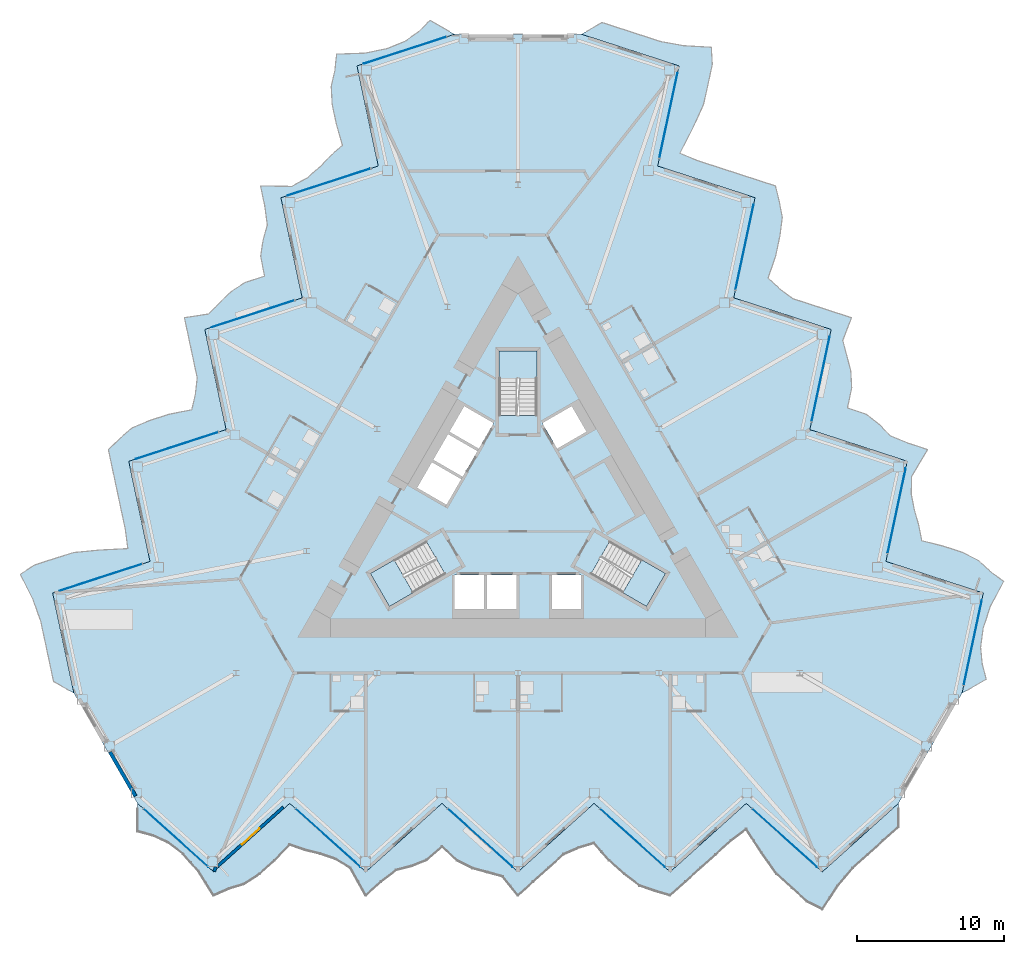
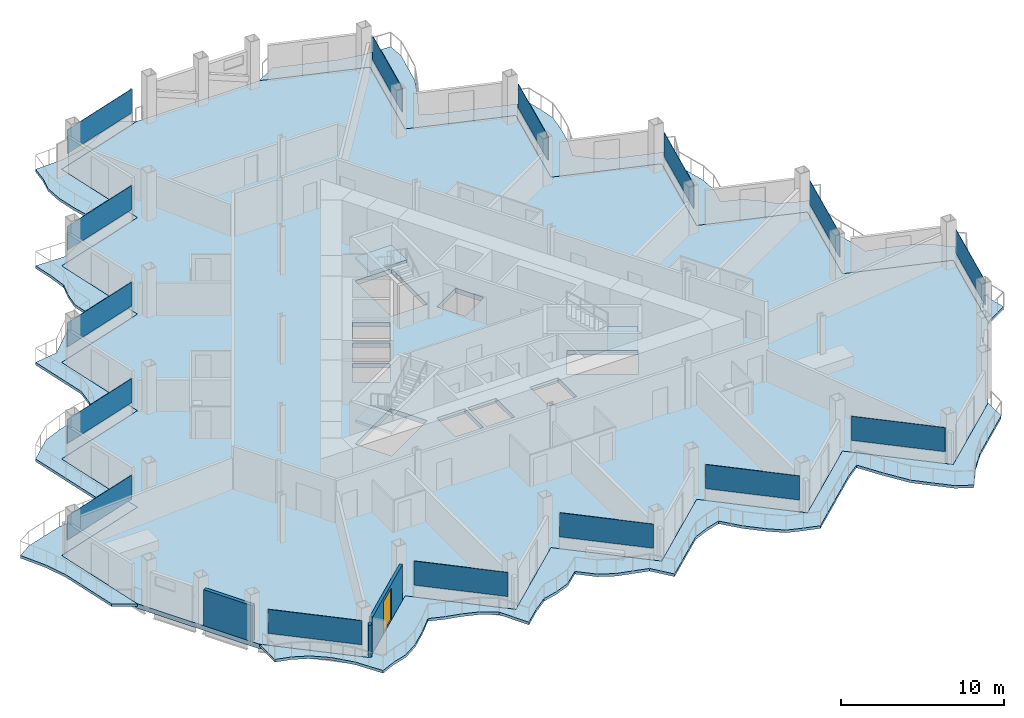
# One storey, part 10 of 24: 15 plates, 7 slabs, 3 walls, 1 door, 1 opening, 18 elements without a shape of their own.
"""IFC4 building model written with IfcOpenShell, lengths in metres."""

import ifcopenshell
import ifcopenshell.guid

model = None  # the IFC model being written
_history = None  # IfcOwnerHistory: only IFC2X3 demands one
_inside = {}  # id of a spatial element -> (the spatial element, [elements in it])
_under = {}  # id of a project, library or spatial element -> (it, [spatial elements below it])
_declared = {}  # id of a project -> (the project, [libraries it declares])
_typed = {}  # id of a type object -> (the type object, [elements of that type])
_made_of = {}  # id of a material, layer set ... -> (it, [elements and type objects made of it])


def new_model(schema):
    """Start an empty IFC model of exactly this schema.

    Asked for "IFC4X3", IfcOpenShell would pick the latest addendum, in which some entities
    have other attributes; the version numbers below select the first issue.
    IFC2X3 requires an IfcOwnerHistory on every rooted entity: one is made here for all.
    """
    global model, _history
    if schema == "IFC4X3":
        model = ifcopenshell.file(schema_version=(4, 3, 0, 0))
    else:
        model = ifcopenshell.file(schema=schema)
    _inside.clear()
    _under.clear()
    _declared.clear()
    _typed.clear()
    _made_of.clear()
    _history = None
    if model.schema == "IFC2X3":
        org = make("IfcOrganization", Name="unknown")
        user = make(
            "IfcPersonAndOrganization",
            ThePerson=make("IfcPerson", FamilyName="unknown"),
            TheOrganization=org,
        )
        app = make(
            "IfcApplication",
            ApplicationDeveloper=org,
            Version="unknown",
            ApplicationFullName="unknown",
            ApplicationIdentifier="unknown",
        )
        _history = make(
            "IfcOwnerHistory",
            OwningUser=user,
            OwningApplication=app,
            ChangeAction="ADDED",
            CreationDate=0,
        )
    return model


def make(cls, **values):
    """One entity of the class cls with the attributes given. An attribute that is None is left unset."""
    return model.create_entity(
        cls, **{name: value for name, value in values.items() if value is not None}
    )


def rooted(cls, **values):
    """An entity with a GlobalId (a new one), such as an element, a storey or a relation."""
    return make(cls, GlobalId=ifcopenshell.guid.new(), OwnerHistory=_history, **values)


def si_unit(unit_type, name, prefix=None):
    """IfcSIUnit, for example si_unit("LENGTHUNIT", "METRE", prefix="MILLI")."""
    return make("IfcSIUnit", UnitType=unit_type, Prefix=prefix, Name=name)


def assignment(units):
    """IfcUnitAssignment: the units of a project."""
    return None if units is None else make("IfcUnitAssignment", Units=units)


def point(xyz):
    """IfcCartesianPoint."""
    return None if xyz is None else make("IfcCartesianPoint", Coordinates=xyz)


def direction(xyz):
    """IfcDirection."""
    return None if xyz is None else make("IfcDirection", DirectionRatios=xyz)


def frame(location, z_axis=None, x_axis=None):
    """IfcAxis2Placement3D, a coordinate frame: its origin and axes. An axis left out is left unset."""
    return make(
        "IfcAxis2Placement3D",
        Location=point(location),
        Axis=direction(z_axis),
        RefDirection=direction(x_axis),
    )


def frame_2d(location, x_axis=None):
    """IfcAxis2Placement2D, a coordinate frame in the plane: its origin and x axis."""
    return make(
        "IfcAxis2Placement2D", Location=point(location), RefDirection=direction(x_axis)
    )


def origin():
    """The frame at (0, 0, 0) with its axes left unset."""
    return frame((0.0, 0.0, 0.0))


def origin_2d():
    """The frame at (0, 0) in the plane with its x axis left unset."""
    return frame_2d((0.0, 0.0))


def place(relative_to, where):
    """IfcLocalPlacement: puts the frame where relative to a parent placement (None: the world)."""
    return make(
        "IfcLocalPlacement", PlacementRelTo=relative_to, RelativePlacement=where
    )


def context(
    kind, dimensions, precision=None, world=None, true_north=None, identifier=None
):
    """IfcGeometricRepresentationContext, for example the 3D "Model" context."""
    return make(
        "IfcGeometricRepresentationContext",
        ContextIdentifier=identifier,
        ContextType=kind,
        CoordinateSpaceDimension=dimensions,
        Precision=precision,
        WorldCoordinateSystem=world,
        TrueNorth=true_north,
    )


def subcontext(parent, identifier, kind, view, scale=None):
    """IfcGeometricRepresentationSubContext, for example "Body" below "Model"."""
    return make(
        "IfcGeometricRepresentationSubContext",
        ContextIdentifier=identifier,
        ContextType=kind,
        ParentContext=parent,
        TargetScale=scale,
        TargetView=view,
    )


def project(units=None, contexts=None):
    """IfcProject with its units and contexts."""
    return rooted(
        "IfcProject",
        Name="project",
        RepresentationContexts=contexts,
        UnitsInContext=assignment(units),
    )


def spatial(cls, under=None, at=None, **own):
    """A site, building, storey or space (cls), placed at a placement, below another one or the project."""
    s = rooted(cls, ObjectPlacement=at, **own)
    if under is not None:
        _under.setdefault(under.id(), (under, []))[1].append(s)
    return s


def polyline(points):
    """IfcPolyline through the points."""
    return make("IfcPolyline", Points=[point(p) for p in points])


def profile(cls, at=None, kind="AREA", **sizes):
    """A parametric profile (cls). Its sizes go by their IFC names, for example OverallWidth=200.0."""
    return make(cls, ProfileType=kind, Position=at, **sizes)


def rectangle(**sizes):
    """IfcRectangleProfileDef."""
    return profile("IfcRectangleProfileDef", **sizes)


def outline(outer, holes=None, kind="AREA"):
    """IfcArbitraryClosedProfileDef: a profile drawn as a closed curve; with holes, ...WithVoids."""
    if holes is None:
        return make("IfcArbitraryClosedProfileDef", ProfileType=kind, OuterCurve=outer)
    return make(
        "IfcArbitraryProfileDefWithVoids",
        ProfileType=kind,
        OuterCurve=outer,
        InnerCurves=holes,
    )


def extrude(swept, where, along, depth):
    """IfcExtrudedAreaSolid: the profile swept, set in the frame where, extruded along a direction by depth."""
    return make(
        "IfcExtrudedAreaSolid",
        SweptArea=swept,
        Position=where,
        ExtrudedDirection=direction(along),
        Depth=depth,
    )


def shape(context_of_items, identifier, shape_type, items):
    """IfcShapeRepresentation: the items that make up one representation, for example the "Body"."""
    return make(
        "IfcShapeRepresentation",
        ContextOfItems=context_of_items,
        RepresentationIdentifier=identifier,
        RepresentationType=shape_type,
        Items=items,
    )


def material(Name=None, Category=None):
    """IfcMaterial."""
    return make("IfcMaterial", Name=Name, Category=Category)


def layer(
    of_material, thickness, ventilated=None, Name=None, Category=None, Priority=None
):
    """IfcMaterialLayer: one layer of a wall or slab, of a material (None: an air gap)."""
    return make(
        "IfcMaterialLayer",
        Material=of_material,
        LayerThickness=thickness,
        IsVentilated=ventilated,
        Name=Name,
        Category=Category,
        Priority=Priority,
    )


def layer_set(layers, Name=None):
    """IfcMaterialLayerSet."""
    return make("IfcMaterialLayerSet", MaterialLayers=layers, LayerSetName=Name)


def made_of(thing, what):
    """Note that an element or type object is made of a material, layer set ...; save() writes the relation."""
    if what is not None:
        _made_of.setdefault(what.id(), (what, []))[1].append(thing)
    return thing


def type_object(cls, material=None, **own):
    """A type object (cls), such as IfcWallType, which elements share."""
    return made_of(rooted(cls, **own), material)


def element(
    cls,
    number,
    at=None,
    inside=None,
    cuts=None,
    type_object=None,
    material=None,
    context=None,
    identifier="Body",
    shape_type=None,
    held_by="IfcProductDefinitionShape",
    body=None,
    shapes=None,
    **own,
):
    """One element of the class cls, such as IfcWall. Its Tag is "e" and its number.

    at: its placement. inside: the storey or other place that contains it. cuts: it is an
    opening in that element (IfcRelVoidsElement). A single representation is given by context,
    identifier, shape_type and body (its items); several are given by shapes. held_by: the class
    of the entity that holds the representations. save() writes the other relations.
    """
    e = rooted(cls, Tag="e%d" % number, ObjectPlacement=at, **own)
    if body is not None:
        shapes = [shape(context, identifier, shape_type, body)]
    if shapes is not None:
        e.Representation = make(held_by, Representations=shapes)
    if inside is not None:
        _inside.setdefault(inside.id(), (inside, []))[1].append(e)
    if cuts is not None:
        rooted(
            "IfcRelVoidsElement", RelatingBuildingElement=cuts, RelatedOpeningElement=e
        )
    if type_object is not None:
        _typed.setdefault(type_object.id(), (type_object, []))[1].append(e)
    return made_of(e, material)


def fill(opening, filler):
    """IfcRelFillsElement: the door or window that sits in an opening."""
    return rooted(
        "IfcRelFillsElement",
        RelatingOpeningElement=opening,
        RelatedBuildingElement=filler,
    )


def aggregate(whole, parts):
    """IfcRelAggregates: a whole, such as a stair, and the parts it consists of."""
    return rooted("IfcRelAggregates", RelatingObject=whole, RelatedObjects=parts)


def save(model, path):
    """Write the relations noted so far, then the file.

    IfcRelAggregates (storeys below a building ...), IfcRelContainedInSpatialStructure (elements
    in a storey), IfcRelDefinesByType, IfcRelAssociatesMaterial and IfcRelDeclares: one each for
    every whole, place, type object, material and project.
    """
    for whole, parts in _under.values():
        aggregate(whole, parts)
    for where, things in _inside.values():
        rooted(
            "IfcRelContainedInSpatialStructure",
            RelatedElements=things,
            RelatingStructure=where,
        )
    for kind, things in _typed.values():
        rooted("IfcRelDefinesByType", RelatedObjects=things, RelatingType=kind)
    for what, things in _made_of.values():
        rooted("IfcRelAssociatesMaterial", RelatedObjects=things, RelatingMaterial=what)
    for by, libraries in _declared.values():
        rooted("IfcRelDeclares", RelatingContext=by, RelatedDefinitions=libraries)
    model.write(path)


model = new_model("IFC4")

# Units and contexts
model_context = context("Model", 3, precision=1e-05, world=origin(), true_north=direction((0.0, 1.0)))
body_context = subcontext(model_context, "Body", "Model", "MODEL_VIEW")
ifc_project = project(units=[si_unit("LENGTHUNIT", "METRE"), si_unit("AREAUNIT", "SQUARE_METRE"), si_unit("VOLUMEUNIT", "CUBIC_METRE"), si_unit("PLANEANGLEUNIT", "RADIAN"), si_unit("MASSUNIT", "GRAM", prefix="KILO")], contexts=[model_context])

# Site, building, storey
site_placement = place(None, origin())
site = spatial("IfcSite", under=ifc_project, at=site_placement, CompositionType="ELEMENT")
building_placement = place(site_placement, origin())
building = spatial("IfcBuilding", under=site, at=building_placement, Name="Cormorant Prow Tower", CompositionType="ELEMENT")
storey_placement = place(building_placement, frame((0.0, 0.0, 234.60009765625)))
storey = spatial("IfcBuildingStorey", under=building, at=storey_placement, Name="L51", CompositionType="ELEMENT", Elevation=234.60009765625)

# Slabs
ifc_material_1 = material(Name="Concrete C40/50", Category="concrete")
ifc_layer_1 = layer(ifc_material_1, 0.199951171875)
ifc_layer_set_1 = layer_set([ifc_layer_1], Name="Concrete C40/50")
slab_type_1 = type_object("IfcSlabType", Name="Balcony slab 200", PredefinedType="FLOOR", material=ifc_layer_set_1)
slab_1_placement = place(storey_placement, frame((0.0, 0.0, -0.2001953125)))
element("IfcSlab", 1, at=slab_1_placement, inside=storey, type_object=slab_type_1, Name="Balcony slab S L51", PredefinedType="FLOOR", context=body_context, shape_type="SweptSolid", body=[
    extrude(outline(polyline([(-25.859619140625, -19.9228515625), (-25.859619140625, -21.82275390625), (-24.8251953125, -22.1044921875), (-23.790771484375, -22.575439453125), (-22.75634765625, -23.369873046875), (-21.721923828125, -24.52783203125), (-20.6875, -26.1796875), (-19.6533203125, -25.72021484375), (-18.618896484375, -25.407470703125), (-17.58447265625, -24.735595703125), (-16.550048828125, -23.80419921875), (-15.515625, -22.734375), (-14.4814453125, -23.08837890625), (-13.447021484375, -23.344970703125), (-12.41259765625, -23.700927734375), (-11.378173828125, -24.32373046875), (-10.34375, -26.1796875), (-9.309326171875, -25.248291015625), (-8.275146484375, -24.45166015625), (-7.24072265625, -24.1884765625), (-6.206298828125, -23.778564453125), (-5.171875, -22.872802734375), (-4.137451171875, -23.80419921875), (-3.10302734375, -24.32958984375), (-2.06884765625, -24.6103515625), (-1.034423828125, -24.892822265625), (0.0, -26.1796875), (1.034423828125, -25.248291015625), (2.06884765625, -24.31689453125), (3.10302734375, -23.385498046875), (4.137451171875, -22.932861328125), (5.171875, -22.618408203125), (6.206298828125, -23.80419921875), (7.24072265625, -24.735595703125), (8.275146484375, -25.52392578125), (9.309326171875, -25.8759765625), (10.34375, -26.1796875), (11.378173828125, -25.248291015625), (12.41259765625, -24.31689453125), (13.447021484375, -23.385498046875), (14.4814453125, -22.4541015625), (15.515625, -21.6640625), (16.550048828125, -23.26318359375), (17.58447265625, -24.7138671875), (18.618896484375, -25.6669921875), (19.6533203125, -26.598388671875), (20.6875, -27.117919921875), (21.721923828125, -25.534912109375), (22.75634765625, -24.31689453125), (23.790771484375, -23.385498046875), (24.8251953125, -22.4541015625), (25.859619140625, -21.52294921875), (25.859619140625, -19.9228515625), (24.8251953125, -20.854248046875), (23.790771484375, -21.78564453125), (22.75634765625, -22.717041015625), (21.721923828125, -23.648193359375), (20.6875, -24.57958984375), (19.6533203125, -23.648193359375), (18.618896484375, -22.717041015625), (17.58447265625, -21.78564453125), (16.550048828125, -20.854248046875), (15.515625, -19.9228515625), (14.4814453125, -20.854248046875), (13.447021484375, -21.78564453125), (12.41259765625, -22.717041015625), (11.378173828125, -23.648193359375), (10.34375, -24.57958984375), (9.309326171875, -23.648193359375), (8.275146484375, -22.717041015625), (7.24072265625, -21.78564453125), (6.206298828125, -20.854248046875), (5.171875, -19.9228515625), (4.137451171875, -20.854248046875), (3.10302734375, -21.78564453125), (2.06884765625, -22.717041015625), (1.034423828125, -23.648193359375), (0.0, -24.57958984375), (-1.034423828125, -23.648193359375), (-2.06884765625, -22.717041015625), (-3.10302734375, -21.78564453125), (-4.137451171875, -20.854248046875), (-5.171875, -19.9228515625), (-6.206298828125, -20.854248046875), (-7.24072265625, -21.78564453125), (-8.275146484375, -22.717041015625), (-9.309326171875, -23.648193359375), (-10.34375, -24.57958984375), (-11.378173828125, -23.648193359375), (-12.41259765625, -22.717041015625), (-13.447021484375, -21.78564453125), (-14.4814453125, -20.854248046875), (-15.515625, -19.9228515625), (-16.550048828125, -20.854248046875), (-17.58447265625, -21.78564453125), (-18.618896484375, -22.717041015625), (-19.6533203125, -23.648193359375), (-20.6875, -24.57958984375), (-21.721923828125, -23.648193359375), (-22.75634765625, -22.717041015625), (-23.790771484375, -21.78564453125), (-24.8251953125, -20.854248046875), (-25.859619140625, -19.9228515625)])), origin(), (0.0, 0.0, 1.0), 0.2001953125),
])
slab_2_placement = place(storey_placement, frame((0.0, 0.0, -0.2001953125)))
element("IfcSlab", 2, at=slab_2_placement, inside=storey, type_object=slab_type_1, Name="Balcony slab ENE L51", PredefinedType="FLOOR", context=body_context, shape_type="SweptSolid", body=[
    extrude(outline(polyline([(30.183349609375, -12.43359375), (31.828857421875, -11.483642578125), (31.5556640625, -10.447021484375), (31.4462890625, -9.315673828125), (31.6171875, -8.022705078125), (32.1025390625, -6.5478515625), (33.01611328125, -4.826171875), (32.10107421875, -4.16015625), (31.312744140625, -3.420654296875), (30.2138671875, -2.86083984375), (28.89013671875, -2.4306640625), (27.446533203125, -2.06982421875), (27.23583984375, -0.9970703125), (26.94091796875, 0.027099609375), (26.731689453125, 1.100830078125), (26.75390625, 2.30810546875), (27.84423828125, 4.1318359375), (26.520263671875, 4.56201171875), (25.313232421875, 5.059326171875), (24.568115234375, 5.823486328125), (23.696044921875, 6.514404296875), (22.39453125, 6.95751953125), (22.683837890625, 8.31884765625), (22.62158203125, 9.477294921875), (22.347412109375, 10.513427734375), (22.074951171875, 11.550537109375), (22.67236328125, 13.08984375), (21.348388671875, 13.52001953125), (20.024658203125, 13.949951171875), (18.700927734375, 14.380126953125), (17.79150390625, 15.049560546875), (17.002197265625, 15.788330078125), (17.511962890625, 17.27685546875), (17.80126953125, 18.638427734375), (17.966796875, 19.928466796875), (17.754638671875, 21.000244140625), (17.500244140625, 22.0478515625), (16.176513671875, 22.47802734375), (14.852783203125, 22.907958984375), (13.529052734375, 23.338134765625), (12.205322265625, 23.768310546875), (11.00390625, 24.26904296875), (11.871337890625, 25.96435546875), (12.610595703125, 27.58544921875), (12.918701171875, 28.957763671875), (13.208251953125, 30.3193359375), (13.14111328125, 31.474853515625), (11.2529296875, 31.579345703125), (9.680908203125, 31.865966796875), (8.357177734375, 32.296142578125), (7.033447265625, 32.726318359375), (5.70947265625, 33.156494140625), (4.323974609375, 32.3564453125), (5.647705078125, 31.92626953125), (6.971435546875, 31.49609375), (8.295166015625, 31.066162109375), (9.619140625, 30.635986328125), (10.94287109375, 30.205810546875), (10.6533203125, 28.84423828125), (10.364013671875, 27.48291015625), (10.07470703125, 26.121337890625), (9.78515625, 24.760009765625), (9.495849609375, 23.3984375), (10.819580078125, 22.96826171875), (12.143310546875, 22.5380859375), (13.467041015625, 22.108154296875), (14.791015625, 21.677978515625), (16.11474609375, 21.247802734375), (15.8251953125, 19.88623046875), (15.535888671875, 18.52490234375), (15.24658203125, 17.163330078125), (14.95703125, 15.802001953125), (14.667724609375, 14.4404296875), (15.991455078125, 14.01025390625), (17.315185546875, 13.580078125), (18.63916015625, 13.150146484375), (19.962890625, 12.719970703125), (21.28662109375, 12.289794921875), (20.997314453125, 10.928466796875), (20.707763671875, 9.56689453125), (20.41845703125, 8.205322265625), (20.129150390625, 6.843994140625), (19.839599609375, 5.482421875), (21.163330078125, 5.05224609375), (22.4873046875, 4.6220703125), (23.81103515625, 4.192138671875), (25.134765625, 3.761962890625), (26.45849609375, 3.331787109375), (26.169189453125, 1.970458984375), (25.879638671875, 0.60888671875), (25.59033203125, -0.752685546875), (25.301025390625, -2.114013671875), (25.011474609375, -3.4755859375), (26.335205078125, -3.90576171875), (27.6591796875, -4.335693359375), (28.98291015625, -4.765869140625), (30.306640625, -5.196044921875), (31.63037109375, -5.626220703125), (31.341064453125, -6.987548828125), (31.051513671875, -8.34912109375), (30.76220703125, -9.710693359375), (30.472900390625, -11.072021484375), (30.183349609375, -12.43359375)])), origin(), (0.0, 0.0, 1.0), 0.2001953125),
])
slab_3_placement = place(storey_placement, frame((0.0, 0.0, -0.2001953125)))
element("IfcSlab", 3, at=slab_3_placement, inside=storey, type_object=slab_type_1, Name="Balcony slab WNW L51", PredefinedType="FLOOR", context=body_context, shape_type="SweptSolid", body=[
    extrude(outline(polyline([(-4.323974609375, 32.3564453125), (-5.969482421875, 33.306396484375), (-6.73046875, 32.551513671875), (-7.655517578125, 31.89111328125), (-8.86083984375, 31.392578125), (-10.380615234375, 31.07568359375), (-12.328369140625, 31.005859375), (-12.44775390625, 29.88037109375), (-12.694091796875, 28.828125), (-12.62939453125, 27.596435546875), (-12.340087890625, 26.23486328125), (-11.9306640625, 24.80419921875), (-12.75439453125, 24.08544921875), (-13.493896484375, 23.31787109375), (-14.3193359375, 22.60009765625), (-15.375732421875, 22.015625), (-17.500244140625, 22.0478515625), (-17.2109375, 20.686279296875), (-17.0380859375, 19.39208984375), (-17.327392578125, 18.36474609375), (-17.48974609375, 17.26416015625), (-17.222412109375, 15.91552734375), (-18.54638671875, 15.4853515625), (-19.5185546875, 14.852294921875), (-20.27880859375, 14.0966796875), (-21.040771484375, 13.34228515625), (-22.67236328125, 13.08984375), (-22.3828125, 11.728271484375), (-22.093505859375, 10.366943359375), (-21.803955078125, 9.00537109375), (-21.92919921875, 7.88330078125), (-22.174072265625, 6.830322265625), (-23.71826171875, 6.52734375), (-25.0419921875, 6.09716796875), (-26.241943359375, 5.595458984375), (-27.06396484375, 4.875732421875), (-27.84423828125, 4.1318359375), (-27.5546875, 2.770263671875), (-27.265380859375, 1.408935546875), (-26.97607421875, 0.04736328125), (-26.6865234375, -1.314208984375), (-26.51953125, -2.60498046875), (-28.42138671875, -2.701171875), (-30.195068359375, -2.871826171875), (-31.53759765625, -3.291015625), (-32.861328125, -3.720947265625), (-33.82861328125, -4.35693359375), (-32.974853515625, -6.04443359375), (-32.437255859375, -7.549072265625), (-32.14794921875, -8.91064453125), (-31.8583984375, -10.27197265625), (-31.569091796875, -11.633544921875), (-30.183349609375, -12.43359375), (-30.472900390625, -11.072021484375), (-30.76220703125, -9.710693359375), (-31.051513671875, -8.34912109375), (-31.341064453125, -6.987548828125), (-31.63037109375, -5.626220703125), (-30.306640625, -5.196044921875), (-28.98291015625, -4.765869140625), (-27.6591796875, -4.335693359375), (-26.335205078125, -3.90576171875), (-25.011474609375, -3.4755859375), (-25.301025390625, -2.114013671875), (-25.59033203125, -0.752685546875), (-25.879638671875, 0.60888671875), (-26.169189453125, 1.970458984375), (-26.45849609375, 3.331787109375), (-25.134765625, 3.761962890625), (-23.81103515625, 4.192138671875), (-22.4873046875, 4.6220703125), (-21.163330078125, 5.05224609375), (-19.839599609375, 5.482421875), (-20.129150390625, 6.843994140625), (-20.41845703125, 8.205322265625), (-20.707763671875, 9.56689453125), (-20.997314453125, 10.928466796875), (-21.28662109375, 12.289794921875), (-19.962890625, 12.719970703125), (-18.63916015625, 13.150146484375), (-17.315185546875, 13.580078125), (-15.991455078125, 14.01025390625), (-14.667724609375, 14.4404296875), (-14.95703125, 15.802001953125), (-15.24658203125, 17.163330078125), (-15.535888671875, 18.52490234375), (-15.8251953125, 19.88623046875), (-16.11474609375, 21.247802734375), (-14.791015625, 21.677978515625), (-13.467041015625, 22.108154296875), (-12.143310546875, 22.5380859375), (-10.819580078125, 22.96826171875), (-9.495849609375, 23.3984375), (-9.78515625, 24.760009765625), (-10.07470703125, 26.121337890625), (-10.364013671875, 27.48291015625), (-10.6533203125, 28.84423828125), (-10.94287109375, 30.205810546875), (-9.619140625, 30.635986328125), (-8.295166015625, 31.066162109375), (-6.971435546875, 31.49609375), (-5.647705078125, 31.92626953125), (-4.323974609375, 32.3564453125)])), origin(), (0.0, 0.0, 1.0), 0.2001953125),
])

# Curtain wall, plate
ifc_material_2 = material(Name="Aluminium 6063-T6", Category="aluminium")
ifc_layer_2 = layer(ifc_material_2, 0.179931640625)
ifc_layer_set_2 = layer_set([ifc_layer_2], Name="Aluminium 6063-T6")
curtain_wall_type = type_object("IfcCurtainWallType", Name="Hotel unitised curtain wall 180", PredefinedType="NOTDEFINED", material=ifc_layer_set_2)
curtain_wall_1_placement = place(storey_placement, origin())
curtain_wall_1 = element("IfcCurtainWall", 4, at=curtain_wall_1_placement, inside=storey, type_object=curtain_wall_type, Name="Hotel curtain wall S00", PredefinedType="NOTDEFINED")
ifc_material_3 = material(Name="Clear glass", Category="glass")
ifc_layer_3 = layer(ifc_material_3, 0.028076171875)
ifc_layer_set_3 = layer_set([ifc_layer_3], Name="Clear glass")
plate_type = type_object("IfcPlateType", Name="Hotel glass panel 28", PredefinedType="CURTAIN_PANEL", material=ifc_layer_set_3)
plate_1_placement = place(storey_placement, frame((-23.251220703125, -22.271240234375, 0.89990234375), z_axis=(0.0, 0.0, 1.0), x_axis=(0.743144795265, -0.669130639913, 0.0)))
plate_1 = element("IfcPlate", 5, at=plate_1_placement, type_object=plate_type, Name="Hotel glass panel S00", PredefinedType="CURTAIN_PANEL", context=body_context, shape_type="SweptSolid", body=[
    extrude(rectangle(XDim=5.8974609375, YDim=0.028076171875, at=origin_2d()), origin(), (0.0, 0.0, 1.0), 1.80078125),
])
aggregate(curtain_wall_1, [plate_1])

curtain_wall_2_placement = place(storey_placement, origin())
curtain_wall_2 = element("IfcCurtainWall", 6, at=curtain_wall_2_placement, inside=storey, type_object=curtain_wall_type, Name="Hotel curtain wall S02", PredefinedType="NOTDEFINED")
plate_2_placement = place(storey_placement, frame((-12.907470703125, -22.271240234375, 0.89990234375), z_axis=(0.0, 0.0, 1.0), x_axis=(0.743144795265, -0.669130639913, 0.0)))
plate_2 = element("IfcPlate", 7, at=plate_2_placement, type_object=plate_type, Name="Hotel glass panel S02", PredefinedType="CURTAIN_PANEL", context=body_context, shape_type="SweptSolid", body=[
    extrude(rectangle(XDim=5.8974609375, YDim=0.028076171875, at=origin_2d()), origin(), (0.0, 0.0, 1.0), 1.80078125),
])
aggregate(curtain_wall_2, [plate_2])

curtain_wall_3_placement = place(storey_placement, origin())
curtain_wall_3 = element("IfcCurtainWall", 8, at=curtain_wall_3_placement, inside=storey, type_object=curtain_wall_type, Name="Hotel curtain wall S04", PredefinedType="NOTDEFINED")
plate_3_placement = place(storey_placement, frame((-2.563720703125, -22.271240234375, 0.89990234375), z_axis=(0.0, 0.0, 1.0), x_axis=(0.74314485959, -0.669130568473, 0.0)))
plate_3 = element("IfcPlate", 9, at=plate_3_placement, type_object=plate_type, Name="Hotel glass panel S04", PredefinedType="CURTAIN_PANEL", context=body_context, shape_type="SweptSolid", body=[
    extrude(rectangle(XDim=5.8974609375, YDim=0.028076171875, at=origin_2d()), origin(), (0.0, 0.0, 1.0), 1.80078125),
])
aggregate(curtain_wall_3, [plate_3])

curtain_wall_4_placement = place(storey_placement, origin())
curtain_wall_4 = element("IfcCurtainWall", 10, at=curtain_wall_4_placement, inside=storey, type_object=curtain_wall_type, Name="Hotel curtain wall S06", PredefinedType="NOTDEFINED")
plate_4_placement = place(storey_placement, frame((7.780029296875, -22.271240234375, 0.89990234375), z_axis=(0.0, 0.0, 1.0), x_axis=(0.743144795265, -0.669130639913, 0.0)))
plate_4 = element("IfcPlate", 11, at=plate_4_placement, type_object=plate_type, Name="Hotel glass panel S06", PredefinedType="CURTAIN_PANEL", context=body_context, shape_type="SweptSolid", body=[
    extrude(rectangle(XDim=5.8974609375, YDim=0.028076171875, at=origin_2d()), origin(), (0.0, 0.0, 1.0), 1.80078125),
])
aggregate(curtain_wall_4, [plate_4])

curtain_wall_5_placement = place(storey_placement, origin())
curtain_wall_5 = element("IfcCurtainWall", 12, at=curtain_wall_5_placement, inside=storey, type_object=curtain_wall_type, Name="Hotel curtain wall S08", PredefinedType="NOTDEFINED")
plate_5_placement = place(storey_placement, frame((18.1240234375, -22.271240234375, 0.89990234375), z_axis=(0.0, 0.0, 1.0), x_axis=(0.74314485959, -0.669130568473, 0.0)))
plate_5 = element("IfcPlate", 13, at=plate_5_placement, type_object=plate_type, Name="Hotel glass panel S08", PredefinedType="CURTAIN_PANEL", context=body_context, shape_type="SweptSolid", body=[
    extrude(rectangle(XDim=5.8974609375, YDim=0.028076171875, at=origin_2d()), origin(), (0.0, 0.0, 1.0), 1.80078125),
])
aggregate(curtain_wall_5, [plate_5])

curtain_wall_6_placement = place(storey_placement, origin())
curtain_wall_6 = element("IfcCurtainWall", 14, at=curtain_wall_6_placement, inside=storey, type_object=curtain_wall_type, Name="Hotel curtain wall ENE00", PredefinedType="NOTDEFINED")
plate_6_placement = place(storey_placement, frame((30.9130859375, -9.00048828125, 0.89990234375), z_axis=(0.0, 0.0, 1.0), x_axis=(0.207911646089, 0.978147610241, 0.0)))
plate_6 = element("IfcPlate", 15, at=plate_6_placement, type_object=plate_type, Name="Hotel glass panel ENE00", PredefinedType="CURTAIN_PANEL", context=body_context, shape_type="SweptSolid", body=[
    extrude(rectangle(XDim=5.8974609375, YDim=0.028076171875, at=origin_2d()), origin(), (0.0, 0.0, 1.0), 1.80078125),
])
aggregate(curtain_wall_6, [plate_6])

curtain_wall_7_placement = place(storey_placement, origin())
curtain_wall_7 = element("IfcCurtainWall", 16, at=curtain_wall_7_placement, inside=storey, type_object=curtain_wall_type, Name="Hotel curtain wall ENE02", PredefinedType="NOTDEFINED")
plate_7_placement = place(storey_placement, frame((25.7412109375, -0.04248046875, 0.89990234375), z_axis=(0.0, 0.0, 1.0), x_axis=(0.207911783569, 0.978147581019, 0.0)))
plate_7 = element("IfcPlate", 17, at=plate_7_placement, type_object=plate_type, Name="Hotel glass panel ENE02", PredefinedType="CURTAIN_PANEL", context=body_context, shape_type="SweptSolid", body=[
    extrude(rectangle(XDim=5.8974609375, YDim=0.028076171875, at=origin_2d()), origin(), (0.0, 0.0, 1.0), 1.80078125),
])
aggregate(curtain_wall_7, [plate_7])

curtain_wall_8_placement = place(storey_placement, origin())
curtain_wall_8 = element("IfcCurtainWall", 18, at=curtain_wall_8_placement, inside=storey, type_object=curtain_wall_type, Name="Hotel curtain wall ENE04", PredefinedType="NOTDEFINED")
plate_8_placement = place(storey_placement, frame((20.5693359375, 8.91552734375, 0.89990234375), z_axis=(0.0, 0.0, 1.0), x_axis=(0.207911675316, 0.978147604029, 0.0)))
plate_8 = element("IfcPlate", 19, at=plate_8_placement, type_object=plate_type, Name="Hotel glass panel ENE04", PredefinedType="CURTAIN_PANEL", context=body_context, shape_type="SweptSolid", body=[
    extrude(rectangle(XDim=5.8974609375, YDim=0.028076171875, at=origin_2d()), origin(), (0.0, 0.0, 1.0), 1.80078125),
])
aggregate(curtain_wall_8, [plate_8])

curtain_wall_9_placement = place(storey_placement, origin())
curtain_wall_9 = element("IfcCurtainWall", 20, at=curtain_wall_9_placement, inside=storey, type_object=curtain_wall_type, Name="Hotel curtain wall ENE06", PredefinedType="NOTDEFINED")
plate_9_placement = place(storey_placement, frame((15.3974609375, 17.87353515625, 0.89990234375), z_axis=(0.0, 0.0, 1.0), x_axis=(0.207911812796, 0.978147574806, 0.0)))
plate_9 = element("IfcPlate", 21, at=plate_9_placement, type_object=plate_type, Name="Hotel glass panel ENE06", PredefinedType="CURTAIN_PANEL", context=body_context, shape_type="SweptSolid", body=[
    extrude(rectangle(XDim=5.8974609375, YDim=0.028076171875, at=origin_2d()), origin(), (0.0, 0.0, 1.0), 1.80078125),
])
aggregate(curtain_wall_9, [plate_9])

curtain_wall_10_placement = place(storey_placement, origin())
curtain_wall_10 = element("IfcCurtainWall", 22, at=curtain_wall_10_placement, inside=storey, type_object=curtain_wall_type, Name="Hotel curtain wall ENE08", PredefinedType="NOTDEFINED")
plate_10_placement = place(storey_placement, frame((10.2255859375, 26.83154296875, 0.89990234375), z_axis=(0.0, 0.0, 1.0), x_axis=(0.207911646089, 0.978147610241, 0.0)))
plate_10 = element("IfcPlate", 23, at=plate_10_placement, type_object=plate_type, Name="Hotel glass panel ENE08", PredefinedType="CURTAIN_PANEL", context=body_context, shape_type="SweptSolid", body=[
    extrude(rectangle(XDim=5.8974609375, YDim=0.028076171875, at=origin_2d()), origin(), (0.0, 0.0, 1.0), 1.80078125),
])
aggregate(curtain_wall_10, [plate_10])

curtain_wall_11_placement = place(storey_placement, origin())
curtain_wall_11 = element("IfcCurtainWall", 24, at=curtain_wall_11_placement, inside=storey, type_object=curtain_wall_type, Name="Hotel curtain wall WNW00", PredefinedType="NOTDEFINED")
plate_11_placement = place(storey_placement, frame((-7.661865234375, 31.271728515625, 0.89990234375), z_axis=(0.0, 0.0, 1.0), x_axis=(-0.951056530264, -0.309016951383, 0.0)))
plate_11 = element("IfcPlate", 25, at=plate_11_placement, type_object=plate_type, Name="Hotel glass panel WNW00", PredefinedType="CURTAIN_PANEL", context=body_context, shape_type="SweptSolid", body=[
    extrude(rectangle(XDim=5.8974609375, YDim=0.028076171875, at=origin_2d()), origin(), (0.0, 0.0, 1.0), 1.80078125),
])
aggregate(curtain_wall_11, [plate_11])

curtain_wall_12_placement = place(storey_placement, origin())
curtain_wall_12 = element("IfcCurtainWall", 26, at=curtain_wall_12_placement, inside=storey, type_object=curtain_wall_type, Name="Hotel curtain wall WNW02", PredefinedType="NOTDEFINED")
plate_12_placement = place(storey_placement, frame((-12.833740234375, 22.31396484375, 0.89990234375), z_axis=(0.0, 0.0, 1.0), x_axis=(-0.951056501755, -0.309017039126, 0.0)))
plate_12 = element("IfcPlate", 27, at=plate_12_placement, type_object=plate_type, Name="Hotel glass panel WNW02", PredefinedType="CURTAIN_PANEL", context=body_context, shape_type="SweptSolid", body=[
    extrude(rectangle(XDim=5.8974609375, YDim=0.028076171875, at=origin_2d()), origin(), (0.0, 0.0, 1.0), 1.80078125),
])
aggregate(curtain_wall_12, [plate_12])

curtain_wall_13_placement = place(storey_placement, origin())
curtain_wall_13 = element("IfcCurtainWall", 28, at=curtain_wall_13_placement, inside=storey, type_object=curtain_wall_type, Name="Hotel curtain wall WNW04", PredefinedType="NOTDEFINED")
plate_13_placement = place(storey_placement, frame((-18.005615234375, 13.35595703125, 0.89990234375), z_axis=(0.0, 0.0, 1.0), x_axis=(-0.951056501755, -0.309017039126, 0.0)))
plate_13 = element("IfcPlate", 29, at=plate_13_placement, type_object=plate_type, Name="Hotel glass panel WNW04", PredefinedType="CURTAIN_PANEL", context=body_context, shape_type="SweptSolid", body=[
    extrude(rectangle(XDim=5.8974609375, YDim=0.028076171875, at=origin_2d()), origin(), (0.0, 0.0, 1.0), 1.80078125),
])
aggregate(curtain_wall_13, [plate_13])

curtain_wall_14_placement = place(storey_placement, origin())
curtain_wall_14 = element("IfcCurtainWall", 30, at=curtain_wall_14_placement, inside=storey, type_object=curtain_wall_type, Name="Hotel curtain wall WNW06", PredefinedType="NOTDEFINED")
plate_14_placement = place(storey_placement, frame((-23.177490234375, 4.39794921875, 0.89990234375), z_axis=(0.0, 0.0, 1.0), x_axis=(-0.951056501755, -0.309017039126, 0.0)))
plate_14 = element("IfcPlate", 31, at=plate_14_placement, type_object=plate_type, Name="Hotel glass panel WNW06", PredefinedType="CURTAIN_PANEL", context=body_context, shape_type="SweptSolid", body=[
    extrude(rectangle(XDim=5.8974609375, YDim=0.028076171875, at=origin_2d()), origin(), (0.0, 0.0, 1.0), 1.80078125),
])
aggregate(curtain_wall_14, [plate_14])

curtain_wall_15_placement = place(storey_placement, origin())
curtain_wall_15 = element("IfcCurtainWall", 32, at=curtain_wall_15_placement, inside=storey, type_object=curtain_wall_type, Name="Hotel curtain wall WNW08", PredefinedType="NOTDEFINED")
plate_15_placement = place(storey_placement, frame((-28.349609375, -4.56005859375, 0.89990234375), z_axis=(0.0, 0.0, 1.0), x_axis=(-0.951056530264, -0.309016951383, 0.0)))
plate_15 = element("IfcPlate", 33, at=plate_15_placement, type_object=plate_type, Name="Hotel glass panel WNW08", PredefinedType="CURTAIN_PANEL", context=body_context, shape_type="SweptSolid", body=[
    extrude(rectangle(XDim=5.8974609375, YDim=0.028076171875, at=origin_2d()), origin(), (0.0, 0.0, 1.0), 1.80078125),
])
aggregate(curtain_wall_15, [plate_15])

# Slab
ifc_material_4 = material(Name="Concrete C40/50", Category="concrete")
ifc_layer_4 = layer(ifc_material_4, 0.35009765625)
ifc_layer_set_4 = layer_set([ifc_layer_4], Name="Concrete C40/50")
slab_type_2 = type_object("IfcSlabType", Name="Post-tensioned flat slab 350", PredefinedType="FLOOR", material=ifc_layer_set_4)
slab_4_placement = place(storey_placement, frame((0.0, 0.0, -0.35009765625)))
element("IfcSlab", 34, at=slab_4_placement, inside=storey, type_object=slab_type_2, Name="Floor slab L51", PredefinedType="FLOOR", context=body_context, shape_type="SweptSolid", body=[
    extrude(outline(polyline([(-9.495849609375, 23.3984375), (-16.11474609375, 21.247802734375), (-14.667724609375, 14.4404296875), (-21.28662109375, 12.289794921875), (-19.839599609375, 5.482421875), (-26.45849609375, 3.331787109375), (-25.011474609375, -3.4755859375), (-31.63037109375, -5.626220703125), (-30.183349609375, -12.43359375), (-28.021484375, -16.17822265625), (-25.859619140625, -19.9228515625), (-20.6875, -24.57958984375), (-15.515625, -19.9228515625), (-10.34375, -24.57958984375), (-5.171875, -19.9228515625), (0.0, -24.57958984375), (5.171875, -19.9228515625), (10.34375, -24.57958984375), (15.515625, -19.9228515625), (20.6875, -24.57958984375), (25.859619140625, -19.9228515625), (28.021484375, -16.17822265625), (30.183349609375, -12.43359375), (31.63037109375, -5.626220703125), (25.011474609375, -3.4755859375), (26.45849609375, 3.331787109375), (19.839599609375, 5.482421875), (21.28662109375, 12.289794921875), (14.667724609375, 14.4404296875), (16.11474609375, 21.247802734375), (9.495849609375, 23.3984375), (10.94287109375, 30.205810546875), (4.323974609375, 32.3564453125), (0.0, 32.3564453125), (-4.323974609375, 32.3564453125), (-10.94287109375, 30.205810546875), (-9.495849609375, 23.3984375)]), holes=[polyline([(-4.300048828125, -4.39990234375), (-2.300048828125, -4.39990234375), (-2.300048828125, -6.699951171875), (-4.300048828125, -6.699951171875), (-4.300048828125, -4.39990234375)]), polyline([(-0.10009765625, -4.39990234375), (-0.10009765625, -6.699951171875), (-2.10009765625, -6.699951171875), (-2.10009765625, -4.39990234375), (-0.10009765625, -4.39990234375)]), polyline([(4.300048828125, -6.699951171875), (2.300048828125, -6.699951171875), (2.300048828125, -4.39990234375), (4.300048828125, -4.39990234375), (4.300048828125, -6.699951171875)]), polyline([(4.65234375, 5.341796875), (2.660400390625, 4.19189453125), (1.660400390625, 5.923828125), (3.65234375, 7.073974609375), (4.65234375, 5.341796875)]), polyline([(-1.660400390625, 5.923828125), (-2.660400390625, 4.19189453125), (-4.65234375, 5.341796875), (-3.65234375, 7.073974609375), (-1.660400390625, 5.923828125)]), polyline([(-3.760498046875, 2.28662109375), (-5.75244140625, 3.4365234375), (-4.75244140625, 5.168701171875), (-2.760498046875, 4.018798828125), (-3.760498046875, 2.28662109375)]), polyline([(-6.852294921875, 1.53125), (-5.852294921875, 3.263427734375), (-3.860595703125, 2.11328125), (-4.860595703125, 0.38134765625), (-6.852294921875, 1.53125)]), polyline([(-4.947509765625, -4.3505859375), (-8.738037109375, -6.5390625), (-10.031982421875, -4.2978515625), (-6.241455078125, -2.109375), (-4.947509765625, -4.3505859375)]), polyline([(10.031982421875, -4.2978515625), (8.738037109375, -6.5390625), (4.947509765625, -4.3505859375), (6.241455078125, -2.109375), (10.031982421875, -4.2978515625)]), polyline([(1.2939453125, 10.8369140625), (1.2939453125, 6.459716796875), (-1.2939453125, 6.459716796875), (-1.2939453125, 10.8369140625), (1.2939453125, 10.8369140625)])]), origin(), (0.0, 0.0, 1.0), 0.35009765625),
])

# Stair, slab
ifc_material_5 = material(Name="Exit stair 20 risers")
stair_type = type_object("IfcStairType", Name="Exit stair 20 risers", PredefinedType="HALF_TURN_STAIR", material=ifc_material_5)
stair_1_placement = place(storey_placement, origin())
stair_1 = element("IfcStair", 35, at=stair_1_placement, inside=storey, type_object=stair_type, Name="L51 Exit stair ST1", PredefinedType="HALF_TURN_STAIR")
ifc_material_6 = material(Name="Concrete 5000 psi", Category="concrete")
ifc_layer_5 = layer(ifc_material_6, 0.199951171875)
ifc_layer_set_5 = layer_set([ifc_layer_5], Name="Concrete 5000 psi")
slab_type_3 = type_object("IfcSlabType", Name="Stair landing 200", PredefinedType="LANDING", material=ifc_layer_set_5)
slab_5_placement = place(storey_placement, frame((0.0, 0.0, 1.599853515625)))
slab_5 = element("IfcSlab", 36, at=slab_5_placement, type_object=slab_type_3, Name="ST1 landing 1", PredefinedType="LANDING", context=body_context, shape_type="SweptSolid", body=[
    extrude(outline(polyline([(-8.416748046875, -3.365234375), (-10.031982421875, -4.2978515625), (-8.738037109375, -6.5390625), (-7.122802734375, -5.6064453125), (-8.416748046875, -3.365234375)])), origin(), (0.0, 0.0, 1.0), 0.199951171875),
])
aggregate(stair_1, [slab_5])

stair_2_placement = place(storey_placement, origin())
stair_2 = element("IfcStair", 37, at=stair_2_placement, inside=storey, type_object=stair_type, Name="L51 Exit stair ST2", PredefinedType="HALF_TURN_STAIR")
slab_6_placement = place(storey_placement, frame((0.0, 0.0, 1.599853515625)))
slab_6 = element("IfcSlab", 38, at=slab_6_placement, type_object=slab_type_3, Name="ST2 landing 1", PredefinedType="LANDING", context=body_context, shape_type="SweptSolid", body=[
    extrude(outline(polyline([(7.122802734375, -5.6064453125), (8.738037109375, -6.5390625), (10.031982421875, -4.2978515625), (8.416748046875, -3.365234375), (7.122802734375, -5.6064453125)])), origin(), (0.0, 0.0, 1.0), 0.199951171875),
])
aggregate(stair_2, [slab_6])

stair_3_placement = place(storey_placement, origin())
stair_3 = element("IfcStair", 39, at=stair_3_placement, inside=storey, type_object=stair_type, Name="L51 Exit stair ST3", PredefinedType="HALF_TURN_STAIR")
slab_7_placement = place(storey_placement, frame((0.0, 0.0, 1.599853515625)))
slab_7 = element("IfcSlab", 40, at=slab_7_placement, type_object=slab_type_3, Name="ST3 landing 1", PredefinedType="LANDING", context=body_context, shape_type="SweptSolid", body=[
    extrude(outline(polyline([(1.2939453125, 8.971923828125), (1.2939453125, 10.8369140625), (-1.2939453125, 10.8369140625), (-1.2939453125, 8.971923828125), (1.2939453125, 8.971923828125)])), origin(), (0.0, 0.0, 1.0), 0.199951171875),
])
aggregate(stair_3, [slab_7])

# Walls
ifc_material_7 = material(Name="Gypsum board demising wall")
ifc_layer_6 = layer(ifc_material_7, 0.199951171875)
ifc_layer_set_6 = layer_set([ifc_layer_6], Name="Gypsum board demising wall")
wall_type_1 = type_object("IfcWallType", Name="Demising wall 200", PredefinedType="PARTITIONING", material=ifc_layer_set_6)
wall_1_placement = place(storey_placement, frame((-20.656005859375, -24.55126953125, 0.0), z_axis=(0.0, 0.0, 1.0), x_axis=(0.372801499492, 0.927911117498, 0.0)))
element("IfcWall", 41, at=wall_1_placement, inside=storey, type_object=wall_type_1, Name="Demising wall", PredefinedType="PARTITIONING", context=body_context, shape_type="SweptSolid", body=[
    extrude(rectangle(XDim=0.328125, YDim=0.199951171875, at=frame_2d((0.1640625, 0.0))), origin(), (0.0, 0.0, 1.0), 2.404052734375),
])
ifc_material_8 = material(Name="Terracotta", Category="masonry")
ifc_layer_7 = layer(ifc_material_8, 0.25)
ifc_layer_set_7 = layer_set([ifc_layer_7], Name="Terracotta")
wall_type_2 = type_object("IfcWallType", Name="Terracotta bay wall 250", PredefinedType="SOLIDWALL", material=ifc_layer_set_7)
wall_2_placement = place(storey_placement, frame((-27.727783203125, -16.436767578125, 0.0), z_axis=(0.0, 0.0, 1.0), x_axis=(0.499987726745, -0.866032489635, 0.0)))
element("IfcWall", 42, at=wall_2_placement, inside=storey, type_object=wall_type_2, Name="Terracotta bay wall WSW01", PredefinedType="SOLIDWALL", context=body_context, shape_type="SweptSolid", body=[
    extrude(rectangle(XDim=3.4521484375, YDim=0.25, at=frame_2d((1.72607421875, 0.0))), origin(), (0.0, 0.0, 1.0), 2.70068359375),
])

# Wall, opening, door
ifc_material_9 = material(Name="Terracotta", Category="masonry")
ifc_layer_8 = layer(ifc_material_9, 0.199951171875)
ifc_layer_set_8 = layer_set([ifc_layer_8], Name="Terracotta")
wall_type_3 = type_object("IfcWallType", Name="Terracotta jamb wall 200", PredefinedType="SOLIDWALL", material=ifc_layer_set_8)
wall_3_placement = place(storey_placement, frame((-20.38232421875, -24.170166015625, 0.0), z_axis=(0.0, 0.0, 1.0), x_axis=(0.743161684399, 0.669111882155, 0.0)))
wall_3 = element("IfcWall", 43, at=wall_3_placement, inside=storey, type_object=wall_type_3, Name="Terracotta jamb wall S01", PredefinedType="SOLIDWALL", context=body_context, shape_type="SweptSolid", body=[
    extrude(rectangle(XDim=5.95751953125, YDim=0.199951171875, at=frame_2d((2.978759765625, 0.0))), origin(), (0.0, 0.0, 1.0), 2.70068359375),
])
opening_placement = place(wall_3_placement, frame((2.1787109375, 0.0, 0.0)))
opening = element("IfcOpeningElement", 44, at=opening_placement, cuts=wall_3, Name="Opening ED51.01", PredefinedType="OPENING", context=body_context, shape_type="SweptSolid", body=[
    extrude(rectangle(XDim=1.60009765625, YDim=2.39990234375, at=frame_2d((0.800048828125, 1.199951171875))), frame((0.0, 0.10986328125, 0.0), z_axis=(0.0, -1.0, 0.0), x_axis=(1.0, 0.0, 0.0)), (0.0, 0.0, 1.0), 0.219970703125),
])
ifc_material_10 = material(Name="Aluminium 6063-T6", Category="aluminium")
door_type = type_object("IfcDoorType", Name="Balcony door 1600x2400", OperationType="DOUBLE_DOOR_SINGLE_SWING", PredefinedType="DOOR", material=ifc_material_10)
door_placement = place(opening_placement, origin())
door = element("IfcDoor", 45, at=door_placement, inside=storey, type_object=door_type, Name="Balcony door S01 ED51.01", OperationType="DOUBLE_DOOR_SINGLE_SWING", OverallHeight=2.39990234375, OverallWidth=1.60009765625, PredefinedType="DOOR", context=body_context, shape_type="SweptSolid", body=[
    extrude(rectangle(XDim=1.60009765625, YDim=2.39990234375, at=frame_2d((0.800048828125, 1.199951171875))), frame((0.0, 0.02490234375, 0.0), z_axis=(0.0, -1.0, 0.0), x_axis=(1.0, 0.0, 0.0)), (0.0, 0.0, 1.0), 0.050048828125),
])
fill(opening, door)

save(model, "model.ifc")
